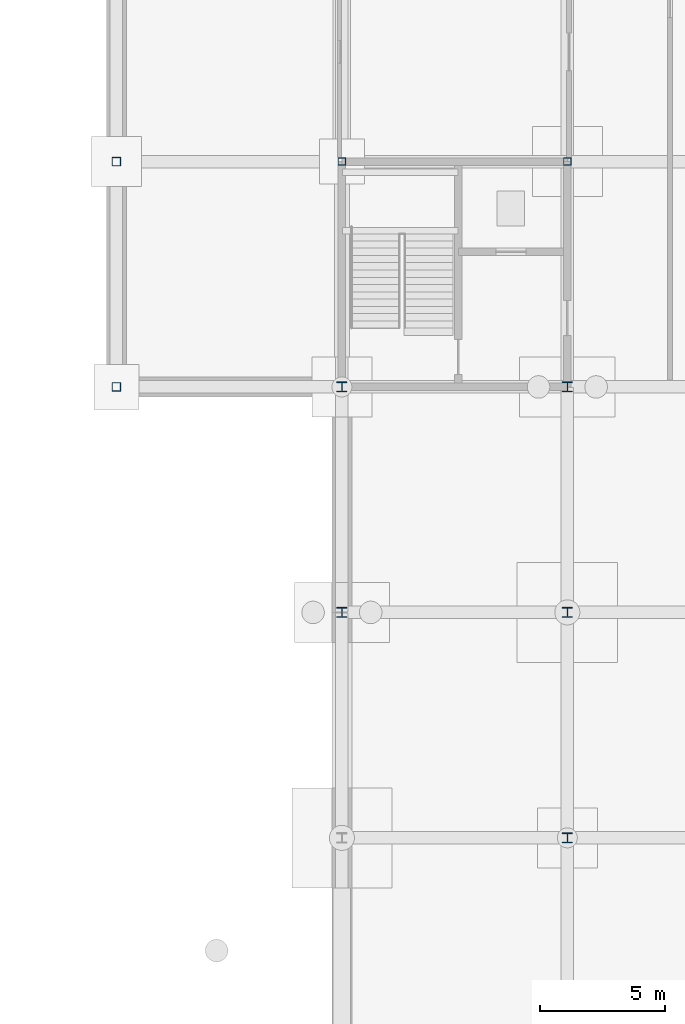
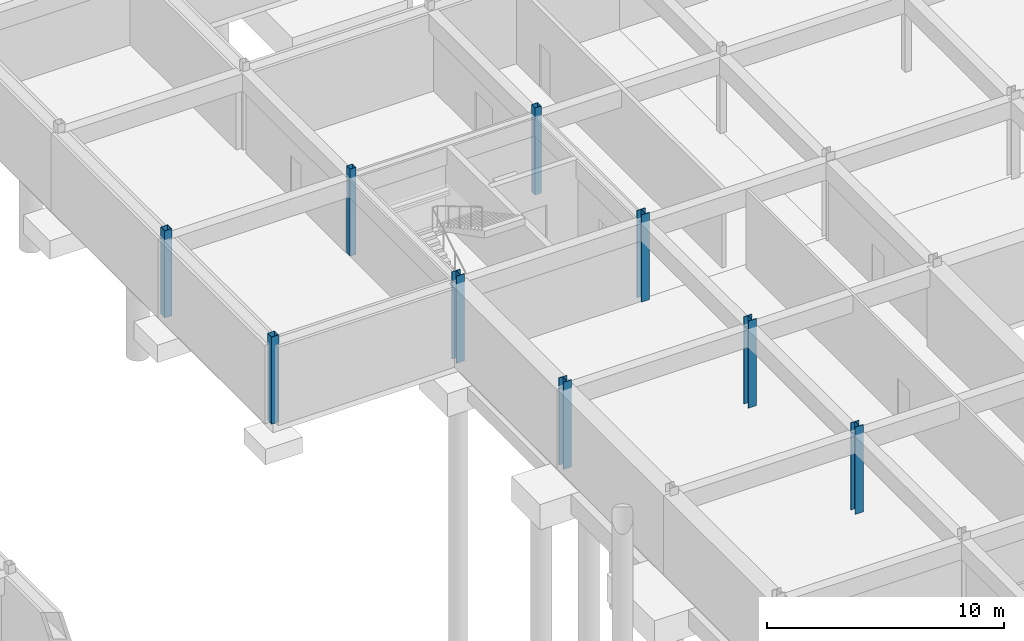
# One storey, part 8 of 41: 9 columns.
"""IFC4 building model written with IfcOpenShell, lengths in metres."""

from ifc_helpers import new_model, si_unit, direction, frame, origin, origin_2d, place, context, subcontext, project, spatial, hollow_rectangle, i_section, extrude, material, material_profile, profile_set, type_object, element, save


model = new_model("IFC4")

# Units and contexts
model_context = context("Model", 3, precision=1e-05, world=origin(), true_north=direction((0.0, 1.0)))
body_context = subcontext(model_context, "Body", "Model", "MODEL_VIEW")
ifc_project = project(units=[si_unit("LENGTHUNIT", "METRE"), si_unit("AREAUNIT", "SQUARE_METRE"), si_unit("VOLUMEUNIT", "CUBIC_METRE"), si_unit("PLANEANGLEUNIT", "RADIAN"), si_unit("MASSUNIT", "GRAM", prefix="KILO")], contexts=[model_context])

# Site, building, storey
site_placement = place(None, origin())
site = spatial("IfcSite", under=ifc_project, at=site_placement, CompositionType="ELEMENT")
building_placement = place(site_placement, origin())
building = spatial("IfcBuilding", under=site, at=building_placement, Name="Palais des Congres Ocreval", CompositionType="ELEMENT")
storey_placement = place(building_placement, frame((0.0, 0.0, -8.9599609375)))
storey = spatial("IfcBuildingStorey", under=building, at=storey_placement, Name="B2", CompositionType="ELEMENT", Elevation=-8.9599609375)

# Columns
ifc_material = material(Name="Steel S355", Category="steel")
ifc_material_profile_1 = material_profile(ifc_material, i_section(OverallWidth=0.40087890625, OverallDepth=0.39892578125, WebThickness=0.0185546875, FlangeThickness=0.030029296875, at=origin_2d()), Name="HD 400x314")
ifc_profile_set_1 = profile_set([ifc_material_profile_1], Name="Steel S355")
column_type_1 = type_object("IfcColumnType", Name="Column HD 400x314 Steel S355", PredefinedType="COLUMN", material=ifc_profile_set_1)
for number, where, z_axis, x_axis, name in (
    (1, (108.0, 36.0, 0.0), (0.0, 0.0, 1.0), (1.0, 0.0, 0.0), "Column C04 B2"),
    (2, (108.0, 45.0, 0.0), (0.0, 0.0, 1.0), (1.0, 0.0, 0.0), "Column C04 B2"),
    (3, (117.0, 27.0, 0.0), (0.0, 0.0, 1.0), (1.0, 0.0, 0.0), "Column C04 B2"),
    (4, (117.0, 36.0, 0.0), (0.0, 0.0, 1.0), (1.0, 0.0, 0.0), "Column C04 B2"),
    (5, (117.0, 45.0, 0.0), (0.0, 0.0, 1.0), (1.0, 0.0, 0.0), "Column C04 B2"),
):
    element("IfcColumn", number, at=place(storey_placement, frame(where, z_axis=z_axis, x_axis=x_axis)), inside=storey, type_object=column_type_1, Name=name, PredefinedType="COLUMN", context=body_context, shape_type="SweptSolid", body=[
        extrude(i_section(OverallWidth=0.40087890625, OverallDepth=0.39892578125, WebThickness=0.0185546875, FlangeThickness=0.030029296875, at=origin_2d()), origin(), (0.0, 0.0, 1.0), 4.47998046875),
    ])
ifc_material_profile_2 = material_profile(ifc_material, hollow_rectangle(XDim=0.300048828125, YDim=0.300048828125, WallThickness=0.012451171875, at=origin_2d()), Name="RHS 300x300x12.5")
ifc_profile_set_2 = profile_set([ifc_material_profile_2], Name="Steel S355")
column_type_2 = type_object("IfcColumnType", Name="Column RHS 300x300x12.5 Steel S355", PredefinedType="COLUMN", material=ifc_profile_set_2)
for number, where, z_axis, x_axis, name in (
    (6, (108.0, 54.0, 0.0), (0.0, 0.0, 1.0), (1.0, 0.0, 0.0), "Column C19 B2"),
    (7, (117.0, 54.0, 0.0), (0.0, 0.0, 1.0), (1.0, 0.0, 0.0), "Column C19 B2"),
):
    element("IfcColumn", number, at=place(storey_placement, frame(where, z_axis=z_axis, x_axis=x_axis)), inside=storey, type_object=column_type_2, Name=name, PredefinedType="COLUMN", context=body_context, shape_type="SweptSolid", body=[
        extrude(hollow_rectangle(XDim=0.300048828125, YDim=0.300048828125, WallThickness=0.012451171875, at=origin_2d()), origin(), (0.0, 0.0, 1.0), 4.47998046875),
    ])
ifc_material_profile_3 = material_profile(ifc_material, hollow_rectangle(XDim=0.35009765625, YDim=0.35009765625, WallThickness=0.01611328125, at=origin_2d()), Name="RHS 350x350x16")
ifc_profile_set_3 = profile_set([ifc_material_profile_3], Name="Steel S355")
column_type_3 = type_object("IfcColumnType", Name="Column RHS 350x350x16 Steel S355", PredefinedType="COLUMN", material=ifc_profile_set_3)
for number, where, z_axis, x_axis, name in (
    (8, (99.0, 45.0, 0.0), (0.0, 0.0, 1.0), (1.0, 0.0, 0.0), "Column C18 B2"),
    (9, (99.0, 54.0, 0.0), (0.0, 0.0, 1.0), (1.0, 0.0, 0.0), "Column C18 B2"),
):
    element("IfcColumn", number, at=place(storey_placement, frame(where, z_axis=z_axis, x_axis=x_axis)), inside=storey, type_object=column_type_3, Name=name, PredefinedType="COLUMN", context=body_context, shape_type="SweptSolid", body=[
        extrude(hollow_rectangle(XDim=0.35009765625, YDim=0.35009765625, WallThickness=0.01611328125, at=origin_2d()), origin(), (0.0, 0.0, 1.0), 4.47998046875),
    ])

save(model, "model.ifc")
